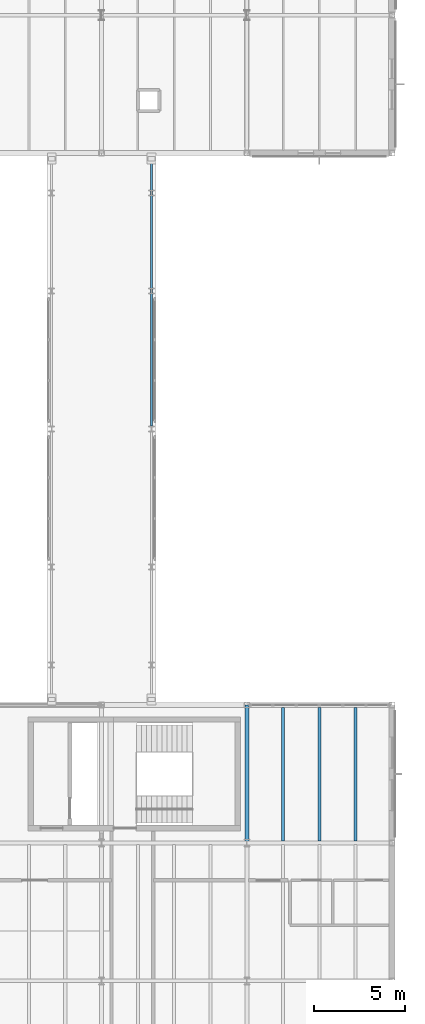
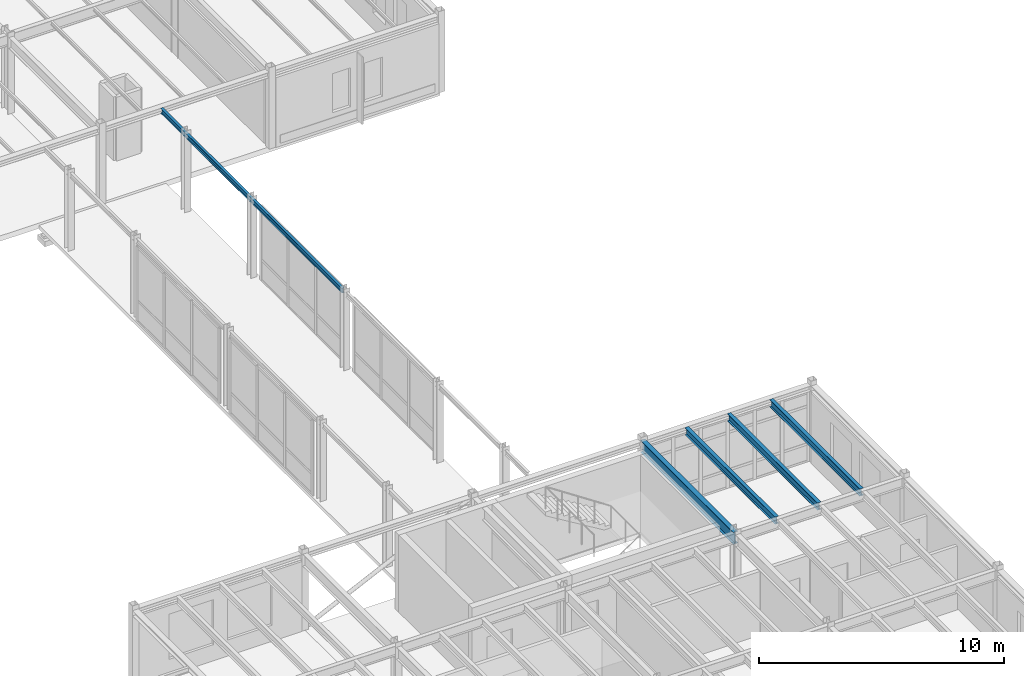
# One storey, part 112 of 165: 5 beams.
"""IFC4 building model written with IfcOpenShell, lengths in metres."""

import ifcopenshell
import ifcopenshell.guid

model = None  # the IFC model being written
_history = None  # IfcOwnerHistory: only IFC2X3 demands one
_inside = {}  # id of a spatial element -> (the spatial element, [elements in it])
_under = {}  # id of a project, library or spatial element -> (it, [spatial elements below it])
_declared = {}  # id of a project -> (the project, [libraries it declares])
_typed = {}  # id of a type object -> (the type object, [elements of that type])
_made_of = {}  # id of a material, layer set ... -> (it, [elements and type objects made of it])


def new_model(schema):
    """Start an empty IFC model of exactly this schema.

    Asked for "IFC4X3", IfcOpenShell would pick the latest addendum, in which some entities
    have other attributes; the version numbers below select the first issue.
    IFC2X3 requires an IfcOwnerHistory on every rooted entity: one is made here for all.
    """
    global model, _history
    if schema == "IFC4X3":
        model = ifcopenshell.file(schema_version=(4, 3, 0, 0))
    else:
        model = ifcopenshell.file(schema=schema)
    _inside.clear()
    _under.clear()
    _declared.clear()
    _typed.clear()
    _made_of.clear()
    _history = None
    if model.schema == "IFC2X3":
        org = make("IfcOrganization", Name="unknown")
        user = make(
            "IfcPersonAndOrganization",
            ThePerson=make("IfcPerson", FamilyName="unknown"),
            TheOrganization=org,
        )
        app = make(
            "IfcApplication",
            ApplicationDeveloper=org,
            Version="unknown",
            ApplicationFullName="unknown",
            ApplicationIdentifier="unknown",
        )
        _history = make(
            "IfcOwnerHistory",
            OwningUser=user,
            OwningApplication=app,
            ChangeAction="ADDED",
            CreationDate=0,
        )
    return model


def make(cls, **values):
    """One entity of the class cls with the attributes given. An attribute that is None is left unset."""
    return model.create_entity(
        cls, **{name: value for name, value in values.items() if value is not None}
    )


def rooted(cls, **values):
    """An entity with a GlobalId (a new one), such as an element, a storey or a relation."""
    return make(cls, GlobalId=ifcopenshell.guid.new(), OwnerHistory=_history, **values)


def si_unit(unit_type, name, prefix=None):
    """IfcSIUnit, for example si_unit("LENGTHUNIT", "METRE", prefix="MILLI")."""
    return make("IfcSIUnit", UnitType=unit_type, Prefix=prefix, Name=name)


def assignment(units):
    """IfcUnitAssignment: the units of a project."""
    return None if units is None else make("IfcUnitAssignment", Units=units)


def point(xyz):
    """IfcCartesianPoint."""
    return None if xyz is None else make("IfcCartesianPoint", Coordinates=xyz)


def direction(xyz):
    """IfcDirection."""
    return None if xyz is None else make("IfcDirection", DirectionRatios=xyz)


def frame(location, z_axis=None, x_axis=None):
    """IfcAxis2Placement3D, a coordinate frame: its origin and axes. An axis left out is left unset."""
    return make(
        "IfcAxis2Placement3D",
        Location=point(location),
        Axis=direction(z_axis),
        RefDirection=direction(x_axis),
    )


def frame_2d(location, x_axis=None):
    """IfcAxis2Placement2D, a coordinate frame in the plane: its origin and x axis."""
    return make(
        "IfcAxis2Placement2D", Location=point(location), RefDirection=direction(x_axis)
    )


def origin():
    """The frame at (0, 0, 0) with its axes left unset."""
    return frame((0.0, 0.0, 0.0))


def origin_2d():
    """The frame at (0, 0) in the plane with its x axis left unset."""
    return frame_2d((0.0, 0.0))


def place(relative_to, where):
    """IfcLocalPlacement: puts the frame where relative to a parent placement (None: the world)."""
    return make(
        "IfcLocalPlacement", PlacementRelTo=relative_to, RelativePlacement=where
    )


def context(
    kind, dimensions, precision=None, world=None, true_north=None, identifier=None
):
    """IfcGeometricRepresentationContext, for example the 3D "Model" context."""
    return make(
        "IfcGeometricRepresentationContext",
        ContextIdentifier=identifier,
        ContextType=kind,
        CoordinateSpaceDimension=dimensions,
        Precision=precision,
        WorldCoordinateSystem=world,
        TrueNorth=true_north,
    )


def subcontext(parent, identifier, kind, view, scale=None):
    """IfcGeometricRepresentationSubContext, for example "Body" below "Model"."""
    return make(
        "IfcGeometricRepresentationSubContext",
        ContextIdentifier=identifier,
        ContextType=kind,
        ParentContext=parent,
        TargetScale=scale,
        TargetView=view,
    )


def project(units=None, contexts=None):
    """IfcProject with its units and contexts."""
    return rooted(
        "IfcProject",
        Name="project",
        RepresentationContexts=contexts,
        UnitsInContext=assignment(units),
    )


def spatial(cls, under=None, at=None, **own):
    """A site, building, storey or space (cls), placed at a placement, below another one or the project."""
    s = rooted(cls, ObjectPlacement=at, **own)
    if under is not None:
        _under.setdefault(under.id(), (under, []))[1].append(s)
    return s


def profile(cls, at=None, kind="AREA", **sizes):
    """A parametric profile (cls). Its sizes go by their IFC names, for example OverallWidth=200.0."""
    return make(cls, ProfileType=kind, Position=at, **sizes)


def i_section(**sizes):
    """IfcIShapeProfileDef."""
    return profile("IfcIShapeProfileDef", **sizes)


def extrude(swept, where, along, depth):
    """IfcExtrudedAreaSolid: the profile swept, set in the frame where, extruded along a direction by depth."""
    return make(
        "IfcExtrudedAreaSolid",
        SweptArea=swept,
        Position=where,
        ExtrudedDirection=direction(along),
        Depth=depth,
    )


def shape(context_of_items, identifier, shape_type, items):
    """IfcShapeRepresentation: the items that make up one representation, for example the "Body"."""
    return make(
        "IfcShapeRepresentation",
        ContextOfItems=context_of_items,
        RepresentationIdentifier=identifier,
        RepresentationType=shape_type,
        Items=items,
    )


def material(Name=None, Category=None):
    """IfcMaterial."""
    return make("IfcMaterial", Name=Name, Category=Category)


def material_profile(
    of_material, cross_section, Name=None, Category=None, Priority=None
):
    """IfcMaterialProfile: a cross section and its material."""
    return make(
        "IfcMaterialProfile",
        Name=Name,
        Material=of_material,
        Profile=cross_section,
        Priority=Priority,
        Category=Category,
    )


def profile_set(profiles, Name=None, composite=None):
    """IfcMaterialProfileSet."""
    return make(
        "IfcMaterialProfileSet",
        Name=Name,
        MaterialProfiles=profiles,
        CompositeProfile=composite,
    )


def made_of(thing, what):
    """Note that an element or type object is made of a material, layer set ...; save() writes the relation."""
    if what is not None:
        _made_of.setdefault(what.id(), (what, []))[1].append(thing)
    return thing


def type_object(cls, material=None, **own):
    """A type object (cls), such as IfcWallType, which elements share."""
    return made_of(rooted(cls, **own), material)


def element(
    cls,
    number,
    at=None,
    inside=None,
    cuts=None,
    type_object=None,
    material=None,
    context=None,
    identifier="Body",
    shape_type=None,
    held_by="IfcProductDefinitionShape",
    body=None,
    shapes=None,
    **own,
):
    """One element of the class cls, such as IfcWall. Its Tag is "e" and its number.

    at: its placement. inside: the storey or other place that contains it. cuts: it is an
    opening in that element (IfcRelVoidsElement). A single representation is given by context,
    identifier, shape_type and body (its items); several are given by shapes. held_by: the class
    of the entity that holds the representations. save() writes the other relations.
    """
    e = rooted(cls, Tag="e%d" % number, ObjectPlacement=at, **own)
    if body is not None:
        shapes = [shape(context, identifier, shape_type, body)]
    if shapes is not None:
        e.Representation = make(held_by, Representations=shapes)
    if inside is not None:
        _inside.setdefault(inside.id(), (inside, []))[1].append(e)
    if cuts is not None:
        rooted(
            "IfcRelVoidsElement", RelatingBuildingElement=cuts, RelatedOpeningElement=e
        )
    if type_object is not None:
        _typed.setdefault(type_object.id(), (type_object, []))[1].append(e)
    return made_of(e, material)


def aggregate(whole, parts):
    """IfcRelAggregates: a whole, such as a stair, and the parts it consists of."""
    return rooted("IfcRelAggregates", RelatingObject=whole, RelatedObjects=parts)


def save(model, path):
    """Write the relations noted so far, then the file.

    IfcRelAggregates (storeys below a building ...), IfcRelContainedInSpatialStructure (elements
    in a storey), IfcRelDefinesByType, IfcRelAssociatesMaterial and IfcRelDeclares: one each for
    every whole, place, type object, material and project.
    """
    for whole, parts in _under.values():
        aggregate(whole, parts)
    for where, things in _inside.values():
        rooted(
            "IfcRelContainedInSpatialStructure",
            RelatedElements=things,
            RelatingStructure=where,
        )
    for kind, things in _typed.values():
        rooted("IfcRelDefinesByType", RelatedObjects=things, RelatingType=kind)
    for what, things in _made_of.values():
        rooted("IfcRelAssociatesMaterial", RelatedObjects=things, RelatingMaterial=what)
    for by, libraries in _declared.values():
        rooted("IfcRelDeclares", RelatingContext=by, RelatedDefinitions=libraries)
    model.write(path)


model = new_model("IFC4")

# Units and contexts
model_context = context("Model", 3, precision=1e-05, world=origin(), true_north=direction((0.0, 1.0)))
body_context = subcontext(model_context, "Body", "Model", "MODEL_VIEW")
ifc_project = project(units=[si_unit("LENGTHUNIT", "METRE"), si_unit("AREAUNIT", "SQUARE_METRE"), si_unit("VOLUMEUNIT", "CUBIC_METRE"), si_unit("PLANEANGLEUNIT", "RADIAN"), si_unit("MASSUNIT", "GRAM", prefix="KILO")], contexts=[model_context])

# Site, building, storey
site_placement = place(None, origin())
site = spatial("IfcSite", under=ifc_project, at=site_placement, CompositionType="ELEMENT")
building_placement = place(site_placement, origin())
building = spatial("IfcBuilding", under=site, at=building_placement, Name="Montecoro Central Library", CompositionType="ELEMENT")
storey_placement = place(building_placement, frame((0.0, 0.0, 5.10009765625)))
storey = spatial("IfcBuildingStorey", under=building, at=storey_placement, Name="L01", CompositionType="ELEMENT", Elevation=5.10009765625)

# Beams
ifc_material_1 = material(Name="Steel S355J2", Category="steel")
ifc_material_profile_1 = material_profile(ifc_material_1, i_section(OverallWidth=0.219970703125, OverallDepth=0.60009765625, WebThickness=0.011962890625, FlangeThickness=0.01904296875, at=origin_2d()), Name="IPE 600")
ifc_profile_set_1 = profile_set([ifc_material_profile_1], Name="Steel S355J2")
beam_type_1 = type_object("IfcBeamType", Name="BM-G-IPE600", PredefinedType="USERDEFINED", material=ifc_profile_set_1)
beam_1_placement = place(storey_placement, frame((165.0, 35.405029296875, 3.52490234375), z_axis=(0.0, 1.0, 0.0), x_axis=(-1.0, 0.0, 0.0)))
element("IfcBeam", 1, at=beam_1_placement, inside=storey, type_object=beam_type_1, Name="V6-L01-BY-21-EF", ObjectType="GIRDER", PredefinedType="USERDEFINED", context=body_context, shape_type="SweptSolid", body=[
    extrude(i_section(OverallWidth=0.219970703125, OverallDepth=0.60009765625, WebThickness=0.011962890625, FlangeThickness=0.01904296875, at=origin_2d()), origin(), (0.0, 0.0, 1.0), 7.590087890625),
])
ifc_material_2 = material(Name="Steel S355", Category="steel")
ifc_material_profile_2 = material_profile(ifc_material_2, i_section(OverallWidth=0.169921875, OverallDepth=0.360107421875, WebThickness=0.008056640625, FlangeThickness=0.0126953125, at=origin_2d()), Name="IPE 360")
ifc_profile_set_2 = profile_set([ifc_material_profile_2], Name="Steel S355")
beam_type_2 = type_object("IfcBeamType", Name="BM-J-IPE360", PredefinedType="JOIST", material=ifc_profile_set_2)
for number, where, z_axis, x_axis, name in (
    (2, (167.0, 35.4970703125, 3.64501953125), (0.0, 1.0, 0.0), (-1.0, 0.0, 0.0), "V6-L01-JS-2122-EF-1"),
    (3, (169.0, 35.4970703125, 3.64501953125), (0.0, 1.0, 0.0), (-1.0, 0.0, 0.0), "V6-L01-JS-2122-EF-2"),
    (4, (171.0, 35.4970703125, 3.64501953125), (0.0, 1.0, 0.0), (-1.0, 0.0, 0.0), "V6-L01-JS-2122-EF-3"),
):
    element("IfcBeam", number, at=place(storey_placement, frame(where, z_axis=z_axis, x_axis=x_axis)), inside=storey, type_object=beam_type_2, Name=name, PredefinedType="JOIST", context=body_context, shape_type="SweptSolid", body=[
        extrude(i_section(OverallWidth=0.169921875, OverallDepth=0.360107421875, WebThickness=0.008056640625, FlangeThickness=0.0126953125, at=origin_2d()), origin(), (0.0, 0.0, 1.0), 7.365966796875),
    ])
ifc_material_profile_3 = material_profile(ifc_material_2, i_section(OverallWidth=0.1201171875, OverallDepth=0.239990234375, WebThickness=0.006103515625, FlangeThickness=0.009765625, at=origin_2d()), Name="IPE 240")
ifc_profile_set_3 = profile_set([ifc_material_profile_3], Name="Steel S355")
beam_type_3 = type_object("IfcBeamType", Name="BM-SP-IPE240", PredefinedType="SPANDREL", material=ifc_profile_set_3)
beam_2_placement = place(storey_placement, frame((159.75, 58.360107421875, 3.77490234375), z_axis=(0.0, 1.0, 0.0), x_axis=(-1.0, 0.0, 0.0)))
element("IfcBeam", 5, at=beam_2_placement, inside=storey, type_object=beam_type_3, Name="BR-E-L02-BM-E2", PredefinedType="SPANDREL", context=body_context, shape_type="SweptSolid", body=[
    extrude(i_section(OverallWidth=0.1201171875, OverallDepth=0.239990234375, WebThickness=0.006103515625, FlangeThickness=0.009765625, at=origin_2d()), origin(), (0.0, 0.0, 1.0), 14.81982421875),
])

save(model, "model.ifc")
